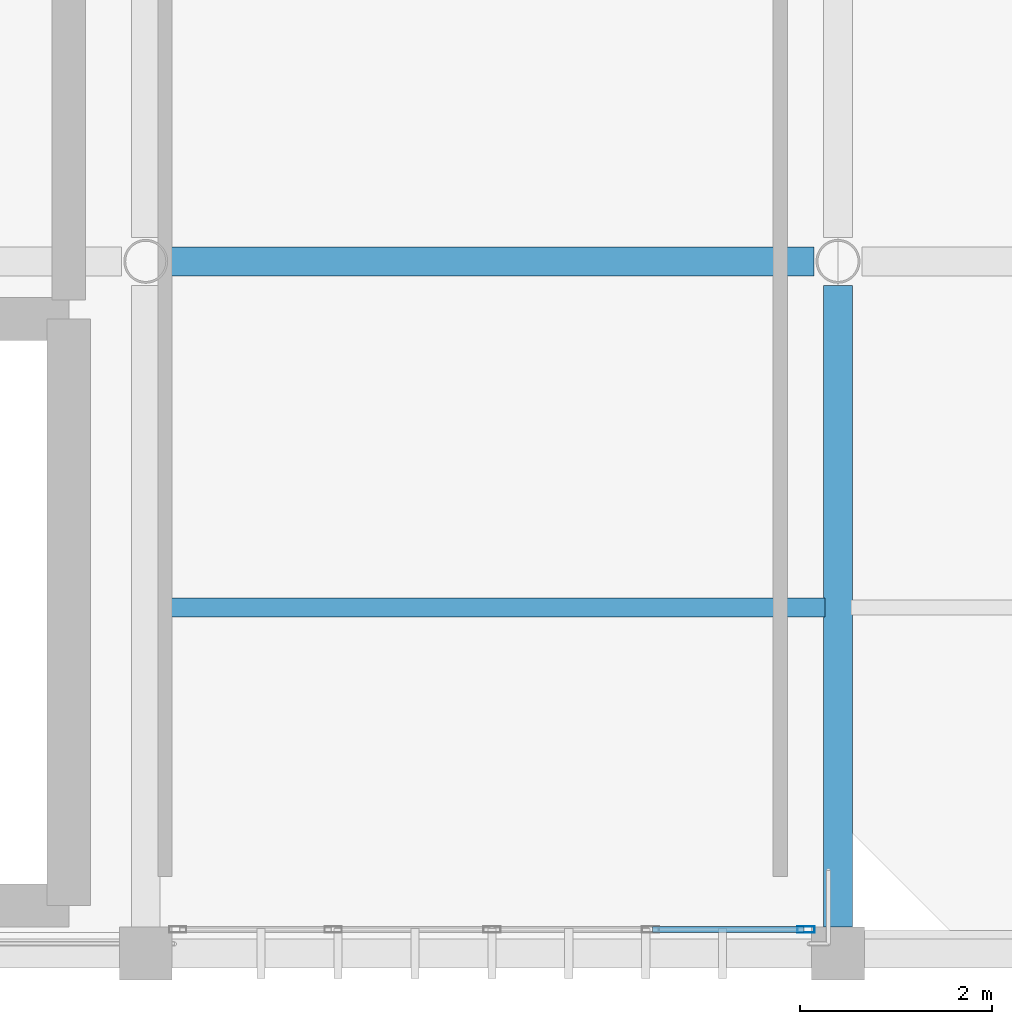
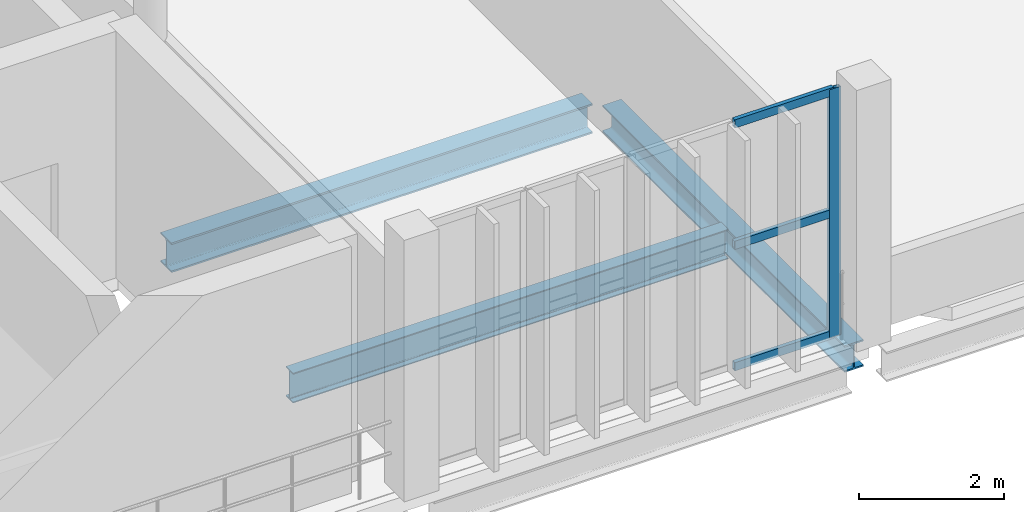
# One storey, part 30 of 81: 4 members, 3 beams, 1 element without a shape of its own.
"""IFC4 building model written with IfcOpenShell, lengths in metres."""

from ifc_helpers import new_model, si_unit, direction, frame, origin, origin_2d, place, context, subcontext, project, spatial, hollow_rectangle, i_section, extrude, material, material_profile, profile_set, type_object, element, aggregate, save


model = new_model("IFC4")

# Units and contexts
model_context = context("Model", 3, precision=1e-05, world=origin(), true_north=direction((0.0, 1.0)))
body_context = subcontext(model_context, "Body", "Model", "MODEL_VIEW")
ifc_project = project(units=[si_unit("LENGTHUNIT", "METRE"), si_unit("AREAUNIT", "SQUARE_METRE"), si_unit("VOLUMEUNIT", "CUBIC_METRE"), si_unit("PLANEANGLEUNIT", "RADIAN"), si_unit("MASSUNIT", "GRAM", prefix="KILO")], contexts=[model_context])

# Site, building, storey
site_placement = place(None, origin())
site = spatial("IfcSite", under=ifc_project, at=site_placement, CompositionType="ELEMENT")
building_placement = place(site_placement, origin())
building = spatial("IfcBuilding", under=site, at=building_placement, Name="Qandorah Velis Arena", CompositionType="ELEMENT")
storey_placement = place(building_placement, frame((0.0, 0.0, 18.60009765625)))
storey = spatial("IfcBuildingStorey", under=building, at=storey_placement, Name="L04", CompositionType="ELEMENT", Elevation=18.60009765625)

# Curtain wall, members
ifc_material_1 = material(Name="Solar-control low-E double glazing", Category="glass")
curtain_wall_type = type_object("IfcCurtainWallType", Name="ARC-CW-SYS06", PredefinedType="USERDEFINED", material=ifc_material_1)
curtain_wall_placement = place(storey_placement, origin())
curtain_wall = element("IfcCurtainWall", 1, at=curtain_wall_placement, inside=storey, type_object=curtain_wall_type, Name="Unitised curtain wall L04-078", ObjectType="UNITISED CURTAIN WALL", PredefinedType="USERDEFINED")
ifc_material_2 = material(Name="Champagne-bronze anodized aluminium 6063-T6", Category="aluminium")
ifc_material_profile_1 = material_profile(ifc_material_2, hollow_rectangle(XDim=0.06494140625, YDim=0.179931640625, WallThickness=0.00341796875, at=origin_2d()), Name="ALU MULLION 65x180")
ifc_profile_set_1 = profile_set([ifc_material_profile_1], Name="Champagne-bronze anodized aluminium 6063-T6")
member_type_1 = type_object("IfcMemberType", Name="ARC-CWM-180", PredefinedType="MULLION", material=ifc_profile_set_1)
member_1_placement = place(storey_placement, frame((93.267578125, 0.25, -0.01513671875), z_axis=(0.0, 0.0, 1.0), x_axis=(0.0, 1.0, 0.0)))
member_1 = element("IfcMember", 2, at=member_1_placement, type_object=member_type_1, Name="CW06 mullion 5", PredefinedType="MULLION", context=body_context, shape_type="SweptSolid", body=[
    extrude(hollow_rectangle(XDim=0.06494140625, YDim=0.179931640625, WallThickness=0.00341796875, at=origin_2d()), origin(), (0.0, 0.0, 1.0), 4.179931640625),
])
ifc_material_profile_2 = material_profile(ifc_material_2, hollow_rectangle(XDim=0.06494140625, YDim=0.139892578125, WallThickness=0.0029296875, at=origin_2d()), Name="ALU TRANSOM 65x140")
ifc_profile_set_2 = profile_set([ifc_material_profile_2], Name="Champagne-bronze anodized aluminium 6063-T6")
member_type_2 = type_object("IfcMemberType", Name="ARC-CWT-140", PredefinedType="USERDEFINED", material=ifc_profile_set_2)
member_2_placement = place(storey_placement, frame((91.67041015625, 0.25, 0.032470703125), z_axis=(1.0, 0.0, 0.0), x_axis=(0.0, 1.0, 0.0)))
member_2 = element("IfcMember", 3, at=member_2_placement, type_object=member_type_2, Name="CW06 transom 4.1", ObjectType="TRANSOM", PredefinedType="USERDEFINED", context=body_context, shape_type="SweptSolid", body=[
    extrude(hollow_rectangle(XDim=0.06494140625, YDim=0.139892578125, WallThickness=0.0029296875, at=origin_2d()), origin(), (0.0, 0.0, 1.0), 1.57666015625),
])
member_3_placement = place(storey_placement, frame((91.67041015625, 0.25, 2.074951171875), z_axis=(1.0, 0.0, 0.0), x_axis=(0.0, 1.0, 0.0)))
member_3 = element("IfcMember", 4, at=member_3_placement, type_object=member_type_2, Name="CW06 transom 4.2", ObjectType="TRANSOM", PredefinedType="USERDEFINED", context=body_context, shape_type="SweptSolid", body=[
    extrude(hollow_rectangle(XDim=0.06494140625, YDim=0.139892578125, WallThickness=0.0029296875, at=origin_2d()), origin(), (0.0, 0.0, 1.0), 1.57666015625),
])
member_4_placement = place(storey_placement, frame((91.67041015625, 0.25, 4.117431640625), z_axis=(1.0, 0.0, 0.0), x_axis=(0.0, 1.0, 0.0)))
member_4 = element("IfcMember", 5, at=member_4_placement, type_object=member_type_2, Name="CW06 transom 4.3", ObjectType="TRANSOM", PredefinedType="USERDEFINED", context=body_context, shape_type="SweptSolid", body=[
    extrude(hollow_rectangle(XDim=0.06494140625, YDim=0.139892578125, WallThickness=0.0029296875, at=origin_2d()), origin(), (0.0, 0.0, 1.0), 1.57666015625),
])
aggregate(curtain_wall, [member_1, member_2, member_3, member_4])

# Beams
ifc_material_3 = material(Name="Steel S355", Category="steel")
ifc_material_profile_3 = material_profile(ifc_material_3, i_section(OverallWidth=0.300048828125, OverallDepth=0.449951171875, WebThickness=0.013916015625, FlangeThickness=0.02587890625, FilletRadius=0.027099609375, at=origin_2d()), Name="HEB 450")
ifc_profile_set_3 = profile_set([ifc_material_profile_3], Name="Steel S355")
beam_type_1 = type_object("IfcBeamType", Name="STR-BM-HEB450", PredefinedType="BEAM", material=ifc_profile_set_3)
beam_1_placement = place(storey_placement, frame((93.60009765625, 0.27490234375, -0.4951171875), z_axis=(0.0, 1.0, 0.0), x_axis=(-1.0, 0.0, 0.0)))
element("IfcBeam", 6, at=beam_1_placement, inside=storey, type_object=beam_type_1, Name="Primary floor girder L04 Y-236", PredefinedType="BEAM", context=body_context, shape_type="SweptSolid", body=[
    extrude(i_section(OverallWidth=0.300048828125, OverallDepth=0.449951171875, WebThickness=0.013916015625, FlangeThickness=0.02587890625, FilletRadius=0.027099609375, at=origin_2d()), origin(), (0.0, 0.0, 1.0), 6.675048828125),
])
ifc_material_profile_4 = material_profile(ifc_material_3, i_section(OverallWidth=0.300048828125, OverallDepth=0.5, WebThickness=0.014404296875, FlangeThickness=0.028076171875, FilletRadius=0.027099609375, at=origin_2d()), Name="HEB 500")
ifc_profile_set_4 = profile_set([ifc_material_profile_4], Name="Steel S355")
beam_type_2 = type_object("IfcBeamType", Name="STR-BM-HEB500", PredefinedType="BEAM", material=ifc_profile_set_4)
beam_2_placement = place(storey_placement, frame((86.64990234375, 7.199951171875, -0.52001953125), z_axis=(1.0, 0.0, 0.0), x_axis=(0.0, 1.0, 0.0)))
element("IfcBeam", 7, at=beam_2_placement, inside=storey, type_object=beam_type_2, Name="Primary floor girder L04 X-021", PredefinedType="BEAM", context=body_context, shape_type="SweptSolid", body=[
    extrude(i_section(OverallWidth=0.300048828125, OverallDepth=0.5, WebThickness=0.014404296875, FlangeThickness=0.028076171875, FilletRadius=0.027099609375, at=origin_2d()), origin(), (0.0, 0.0, 1.0), 6.7001953125),
])
ifc_material_profile_5 = material_profile(ifc_material_3, i_section(OverallWidth=0.199951171875, OverallDepth=0.5, WebThickness=0.01025390625, FlangeThickness=0.01611328125, FilletRadius=0.02099609375, at=origin_2d()), Name="IPE 500")
ifc_profile_set_5 = profile_set([ifc_material_profile_5], Name="Steel S355")
beam_type_3 = type_object("IfcBeamType", Name="STR-JST-IPE500", PredefinedType="JOIST", material=ifc_profile_set_5)
beam_3_placement = place(storey_placement, frame((86.534912109375, 3.60009765625, -0.52001953125), z_axis=(1.0, 0.0, 0.0), x_axis=(0.0, 1.0, 0.0)))
element("IfcBeam", 8, at=beam_3_placement, inside=storey, type_object=beam_type_3, Name="Secondary floor joist L04-057", PredefinedType="JOIST", context=body_context, shape_type="SweptSolid", body=[
    extrude(i_section(OverallWidth=0.199951171875, OverallDepth=0.5, WebThickness=0.01025390625, FlangeThickness=0.01611328125, FilletRadius=0.02099609375, at=origin_2d()), origin(), (0.0, 0.0, 1.0), 6.93017578125),
])

save(model, "model.ifc")
